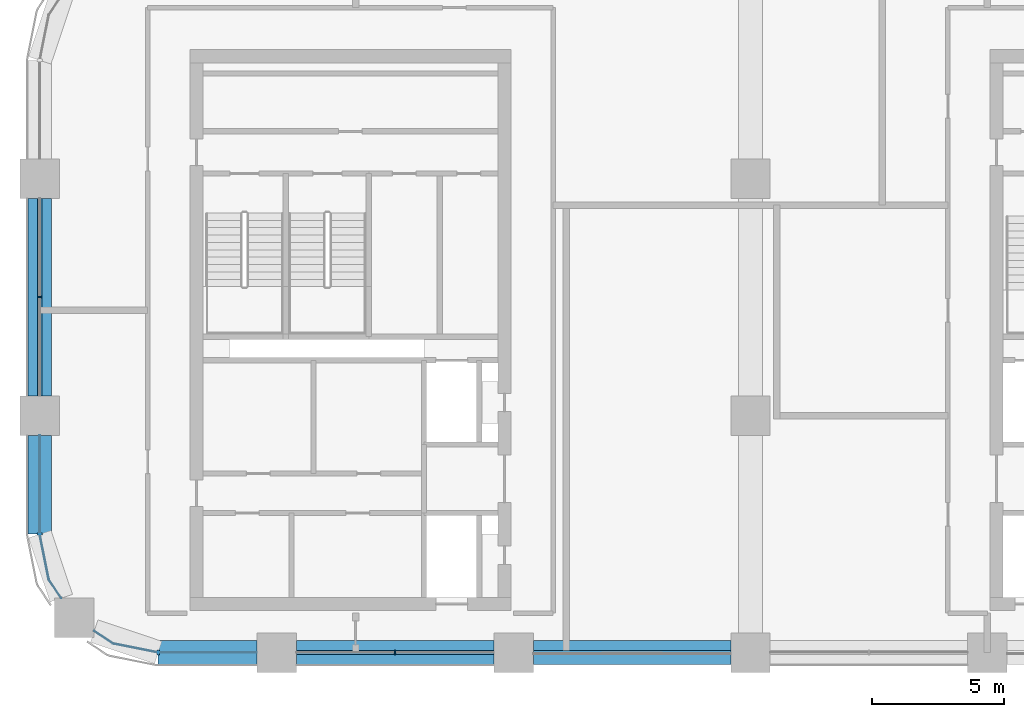
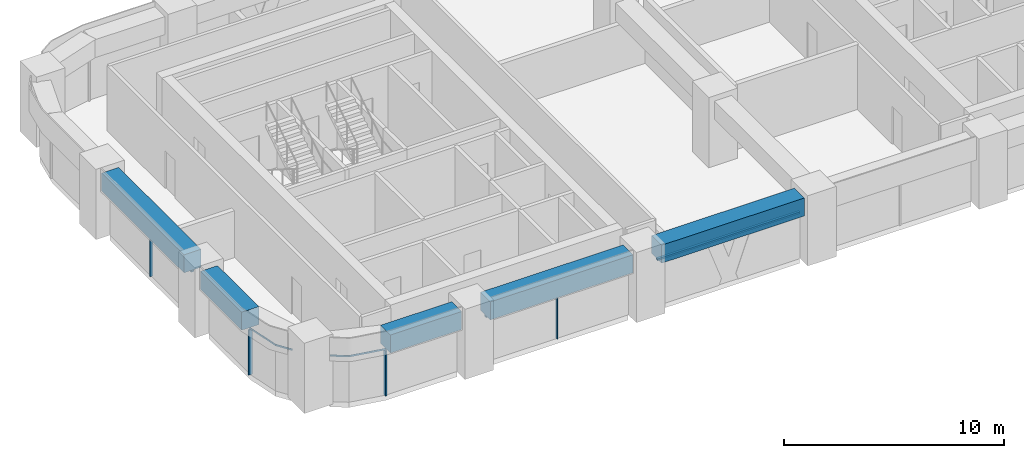
# One storey, part 2 of 14: 9 members, 5 beams, 5 elements without a shape of their own.
"""IFC4 building model written with IfcOpenShell, lengths in metres."""

from ifc_helpers import new_model, si_unit, direction, frame, origin, origin_2d, place, context, subcontext, project, spatial, polyline, rectangle, outline, extrude, material, material_profile, profile_set, type_object, element, aggregate, save


model = new_model("IFC4")

# Units and contexts
model_context = context("Model", 3, precision=1e-05, world=origin(), true_north=direction((0.0, 1.0)))
body_context = subcontext(model_context, "Body", "Model", "MODEL_VIEW")
ifc_project = project(units=[si_unit("LENGTHUNIT", "METRE"), si_unit("AREAUNIT", "SQUARE_METRE"), si_unit("VOLUMEUNIT", "CUBIC_METRE"), si_unit("PLANEANGLEUNIT", "RADIAN"), si_unit("MASSUNIT", "GRAM", prefix="KILO")], contexts=[model_context])

# Site, building, storey
site_placement = place(None, origin())
site = spatial("IfcSite", under=ifc_project, at=site_placement, CompositionType="ELEMENT")
building_placement = place(site_placement, origin())
building = spatial("IfcBuilding", under=site, at=building_placement, Name="Tessera Arch", CompositionType="ELEMENT")
storey_placement = place(building_placement, frame((0.0, 0.0, 138.800048828125)))
storey = spatial("IfcBuildingStorey", under=building, at=storey_placement, Name="L32", CompositionType="ELEMENT", Elevation=138.800048828125)

# Curtain wall, member
ifc_material_1 = material(Name="CW1 curtain wall")
curtain_wall_type_1 = type_object("IfcCurtainWallType", Name="CW1 curtain wall", PredefinedType="NOTDEFINED", material=ifc_material_1)
curtain_wall_1_placement = place(storey_placement, origin())
curtain_wall_1 = element("IfcCurtainWall", 1, at=curtain_wall_1_placement, inside=storey, type_object=curtain_wall_type_1, Name="CW1 curtain wall W0.27/1 L32", PredefinedType="NOTDEFINED")
ifc_material_2 = material(Name="Anodised aluminium pale metal", Category="aluminium")
ifc_material_profile_1 = material_profile(ifc_material_2, rectangle(XDim=0.159912109375, YDim=0.06005859375, at=origin_2d()), Name="AL 60x160")
ifc_profile_set_1 = profile_set([ifc_material_profile_1], Name="Anodised aluminium pale metal")
member_type_1 = type_object("IfcMemberType", Name="CW1 mullion", PredefinedType="MULLION", material=ifc_profile_set_1)
member_1_placement = place(storey_placement, frame((0.0, 40.5, 0.0), z_axis=(0.0, 0.0, 1.0), x_axis=(1.0, 0.0, 0.0)))
member_1 = element("IfcMember", 2, at=member_1_placement, type_object=member_type_1, Name="CW1 mullion W0.27/1 1", PredefinedType="MULLION", context=body_context, shape_type="SweptSolid", body=[
    extrude(rectangle(XDim=0.159912109375, YDim=0.06005859375, at=origin_2d()), origin(), (0.0, 0.0, 1.0), 2.5),
])

curtain_wall_2_placement = place(storey_placement, origin())
curtain_wall_2 = element("IfcCurtainWall", 3, at=curtain_wall_2_placement, inside=storey, type_object=curtain_wall_type_1, Name="CW1 curtain wall S27.0/1 L32", PredefinedType="NOTDEFINED")
member_2_placement = place(storey_placement, frame((13.5, 27.0, 0.0), z_axis=(0.0, 0.0, 1.0), x_axis=(0.0, 1.0, 0.0)))
member_2 = element("IfcMember", 4, at=member_2_placement, type_object=member_type_1, Name="CW1 mullion S27.0/1 1", PredefinedType="MULLION", context=body_context, shape_type="SweptSolid", body=[
    extrude(rectangle(XDim=0.159912109375, YDim=0.06005859375, at=origin_2d()), origin(), (0.0, 0.0, 1.0), 2.5),
])

# Member
ifc_material_3 = material(Name="Anodised aluminium pale metal", Category="aluminium")
ifc_material_profile_2 = material_profile(ifc_material_3, rectangle(XDim=0.159912109375, YDim=0.10009765625, at=origin_2d()), Name="AL 160x100")
ifc_profile_set_2 = profile_set([ifc_material_profile_2], Name="Anodised aluminium pale metal")
member_type_2 = type_object("IfcMemberType", Name="CW1 transom", PredefinedType="USERDEFINED", material=ifc_profile_set_2)
member_3_placement = place(storey_placement, frame((0.0, 44.25, 2.550048828125), z_axis=(0.0, -1.0, 0.0), x_axis=(1.0, 0.0, 0.0)))
member_3 = element("IfcMember", 5, at=member_3_placement, type_object=member_type_2, Name="CW1 transom W0.27/1 1.1", ObjectType="TRANSOM", PredefinedType="USERDEFINED", context=body_context, shape_type="SweptSolid", body=[
    extrude(rectangle(XDim=0.159912109375, YDim=0.10009765625, at=origin_2d()), origin(), (0.0, 0.0, 1.0), 7.5),
])

aggregate(curtain_wall_1, [member_1, member_3])

member_4_placement = place(storey_placement, frame((9.75, 27.0, 2.550048828125), z_axis=(1.0, 0.0, 0.0), x_axis=(0.0, 1.0, 0.0)))
member_4 = element("IfcMember", 6, at=member_4_placement, type_object=member_type_2, Name="CW1 transom S27.0/1 1.1", ObjectType="TRANSOM", PredefinedType="USERDEFINED", context=body_context, shape_type="SweptSolid", body=[
    extrude(rectangle(XDim=0.159912109375, YDim=0.10009765625, at=origin_2d()), origin(), (0.0, 0.0, 1.0), 7.5),
])

aggregate(curtain_wall_2, [member_2, member_4])

# Curtain wall, member
ifc_material_4 = material(Name="CW2 curtain wall")
curtain_wall_type_2 = type_object("IfcCurtainWallType", Name="CW2 curtain wall", PredefinedType="NOTDEFINED", material=ifc_material_4)
curtain_wall_3_placement = place(storey_placement, origin())
curtain_wall_3 = element("IfcCurtainWall", 7, at=curtain_wall_3_placement, inside=storey, type_object=curtain_wall_type_2, Name="CW2 curtain wall W0.27/2 L32", PredefinedType="NOTDEFINED")
ifc_material_5 = material(Name="Anodised aluminium pale metal", Category="aluminium")
ifc_material_profile_3 = material_profile(ifc_material_5, rectangle(XDim=0.199951171875, YDim=0.080078125, at=origin_2d()), Name="AL 80x200")
ifc_profile_set_3 = profile_set([ifc_material_profile_3], Name="Anodised aluminium pale metal")
member_type_3 = type_object("IfcMemberType", Name="CW2 mullion", PredefinedType="MULLION", material=ifc_profile_set_3)
member_5_placement = place(storey_placement, frame((0.0, 31.5, 0.0), z_axis=(0.0, 0.0, 1.0), x_axis=(1.0, 0.0, 0.0)))
member_5 = element("IfcMember", 8, at=member_5_placement, type_object=member_type_3, Name="CW2 mullion W0.27/2 1", PredefinedType="MULLION", context=body_context, shape_type="SweptSolid", body=[
    extrude(rectangle(XDim=0.199951171875, YDim=0.080078125, at=origin_2d()), origin(), (0.0, 0.0, 1.0), 2.5),
])

curtain_wall_4_placement = place(storey_placement, origin())
curtain_wall_4 = element("IfcCurtainWall", 9, at=curtain_wall_4_placement, inside=storey, type_object=curtain_wall_type_2, Name="CW2 curtain wall S27.0/0 L32", PredefinedType="NOTDEFINED")
member_6_placement = place(storey_placement, frame((4.5, 27.0, 0.0), z_axis=(0.0, 0.0, 1.0), x_axis=(0.0, 1.0, 0.0)))
member_6 = element("IfcMember", 10, at=member_6_placement, type_object=member_type_3, Name="CW2 mullion S27.0/0 1", PredefinedType="MULLION", context=body_context, shape_type="SweptSolid", body=[
    extrude(rectangle(XDim=0.199951171875, YDim=0.080078125, at=origin_2d()), origin(), (0.0, 0.0, 1.0), 2.5),
])

# Member
ifc_material_6 = material(Name="Anodised aluminium pale metal", Category="aluminium")
ifc_material_profile_4 = material_profile(ifc_material_6, rectangle(XDim=0.199951171875, YDim=0.10009765625, at=origin_2d()), Name="AL 200x100")
ifc_profile_set_4 = profile_set([ifc_material_profile_4], Name="Anodised aluminium pale metal")
member_type_4 = type_object("IfcMemberType", Name="CW2 transom", PredefinedType="USERDEFINED", material=ifc_profile_set_4)
member_7_placement = place(storey_placement, frame((0.0, 0.0, 2.5)))
member_7 = element("IfcMember", 11, at=member_7_placement, type_object=member_type_4, Name="CW2 transom W0.27/2 1", ObjectType="TRANSOM", PredefinedType="USERDEFINED", context=body_context, shape_type="SweptSolid", body=[
    extrude(outline(polyline([(0.010009765625, 31.5009765625), (0.010009765625, 35.25), (-0.010009765625, 35.25), (-0.010009765625, 31.4990234375), (0.3330078125, 29.77392578125), (0.80859375, 29.0625), (0.8251953125, 29.073486328125), (0.351806640625, 29.78173828125), (0.010009765625, 31.5009765625)])), origin(), (0.0, 0.0, 1.0), 0.099853515625),
])

aggregate(curtain_wall_3, [member_5, member_7])

member_8_placement = place(storey_placement, frame((0.0, 0.0, 2.5)))
member_8 = element("IfcMember", 12, at=member_8_placement, type_object=member_type_4, Name="CW2 transom S27.0/0 1", ObjectType="TRANSOM", PredefinedType="USERDEFINED", context=body_context, shape_type="SweptSolid", body=[
    extrude(outline(polyline([(2.78173828125, 27.351806640625), (2.073486328125, 27.8251953125), (2.0625, 27.80859375), (2.77392578125, 27.3330078125), (4.4990234375, 26.989990234375), (8.25, 26.989990234375), (8.25, 27.010009765625), (4.5009765625, 27.010009765625), (2.78173828125, 27.351806640625)])), origin(), (0.0, 0.0, 1.0), 0.099853515625),
])

aggregate(curtain_wall_4, [member_6, member_8])

# Curtain wall, member
ifc_material_7 = material(Name="CW3 curtain wall")
curtain_wall_type_3 = type_object("IfcCurtainWallType", Name="CW3 curtain wall", PredefinedType="NOTDEFINED", material=ifc_material_7)
curtain_wall_5_placement = place(storey_placement, origin())
curtain_wall_5 = element("IfcCurtainWall", 13, at=curtain_wall_5_placement, inside=storey, type_object=curtain_wall_type_3, Name="CW3 curtain wall S27.0/2 L32", PredefinedType="NOTDEFINED")
ifc_material_8 = material(Name="Anodised aluminium pale metal", Category="aluminium")
ifc_material_profile_5 = material_profile(ifc_material_8, rectangle(XDim=0.139892578125, YDim=0.10009765625, at=origin_2d()), Name="AL 140x100")
ifc_profile_set_5 = profile_set([ifc_material_profile_5], Name="Anodised aluminium pale metal")
member_type_5 = type_object("IfcMemberType", Name="CW3 transom", PredefinedType="USERDEFINED", material=ifc_profile_set_5)
member_9_placement = place(storey_placement, frame((18.75, 27.0, 2.550048828125), z_axis=(1.0, 0.0, 0.0), x_axis=(0.0, 1.0, 0.0)))
member_9 = element("IfcMember", 14, at=member_9_placement, type_object=member_type_5, Name="CW3 transom S27.0/2 1.1", ObjectType="TRANSOM", PredefinedType="USERDEFINED", context=body_context, shape_type="SweptSolid", body=[
    extrude(rectangle(XDim=0.139892578125, YDim=0.10009765625, at=origin_2d()), origin(), (0.0, 0.0, 1.0), 7.5),
])
aggregate(curtain_wall_5, [member_9])

# Beams
ifc_material_9 = material(Name="Concrete C70/85", Category="concrete")
ifc_material_profile_6 = material_profile(ifc_material_9, rectangle(XDim=0.89990234375, YDim=1.0, at=origin_2d()), Name="RC spandrel beam 900 x 1000 Concrete C70/85")
ifc_profile_set_6 = profile_set([ifc_material_profile_6], Name="Concrete C70/85")
beam_type = type_object("IfcBeamType", Name="RC spandrel beam 900 x 1000 Concrete C70/85", PredefinedType="BEAM", material=ifc_profile_set_6)
beam_placement = place(storey_placement, frame((0.0, 44.25, 3.099853515625), z_axis=(0.0, -1.0, 0.0), x_axis=(1.0, 0.0, 0.0)))
element("IfcBeam", 15, at=beam_placement, inside=storey, type_object=beam_type, Name="Spandrel beam L32 W0.27/1", PredefinedType="BEAM", context=body_context, shape_type="SweptSolid", body=[
    extrude(rectangle(XDim=0.89990234375, YDim=1.0, at=origin_2d()), origin(), (0.0, 0.0, 1.0), 7.5),
])
for number, where, z_axis, x_axis, name in (
    (16, (0.0, 35.25, 3.099853515625), (0.0, -1.0, 0.0), (1.0, 0.0, 0.0), "Spandrel beam L32 W0.27/2.1"),
    (17, (4.5, 27.0, 3.099853515625), (1.0, 0.0, 0.0), (0.0, 1.0, 0.0), "Spandrel beam L32 S27.0/0.2"),
):
    element("IfcBeam", number, at=place(storey_placement, frame(where, z_axis=z_axis, x_axis=x_axis)), inside=storey, type_object=beam_type, Name=name, PredefinedType="BEAM", context=body_context, shape_type="SweptSolid", body=[
        extrude(rectangle(XDim=0.89990234375, YDim=1.0, at=origin_2d()), origin(), (0.0, 0.0, 1.0), 3.75),
    ])
for number, where, z_axis, x_axis, name in (
    (18, (9.75, 27.0, 3.099853515625), (1.0, 0.0, 0.0), (0.0, 1.0, 0.0), "Spandrel beam L32 S27.0/1"),
    (19, (18.75, 27.0, 3.099853515625), (1.0, 0.0, 0.0), (0.0, 1.0, 0.0), "Spandrel beam L32 S27.0/2"),
):
    element("IfcBeam", number, at=place(storey_placement, frame(where, z_axis=z_axis, x_axis=x_axis)), inside=storey, type_object=beam_type, Name=name, PredefinedType="BEAM", context=body_context, shape_type="SweptSolid", body=[
        extrude(rectangle(XDim=0.89990234375, YDim=1.0, at=origin_2d()), origin(), (0.0, 0.0, 1.0), 7.5),
    ])

save(model, "model.ifc")
